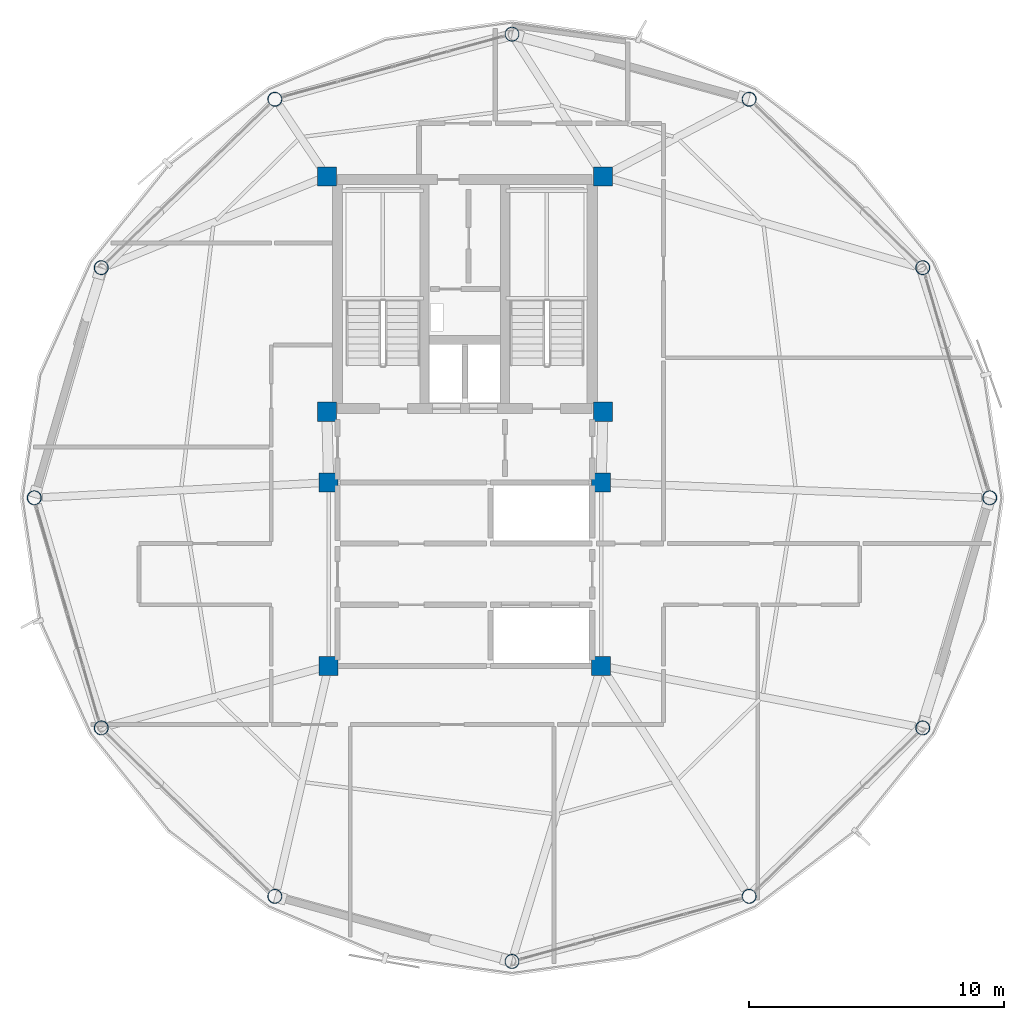
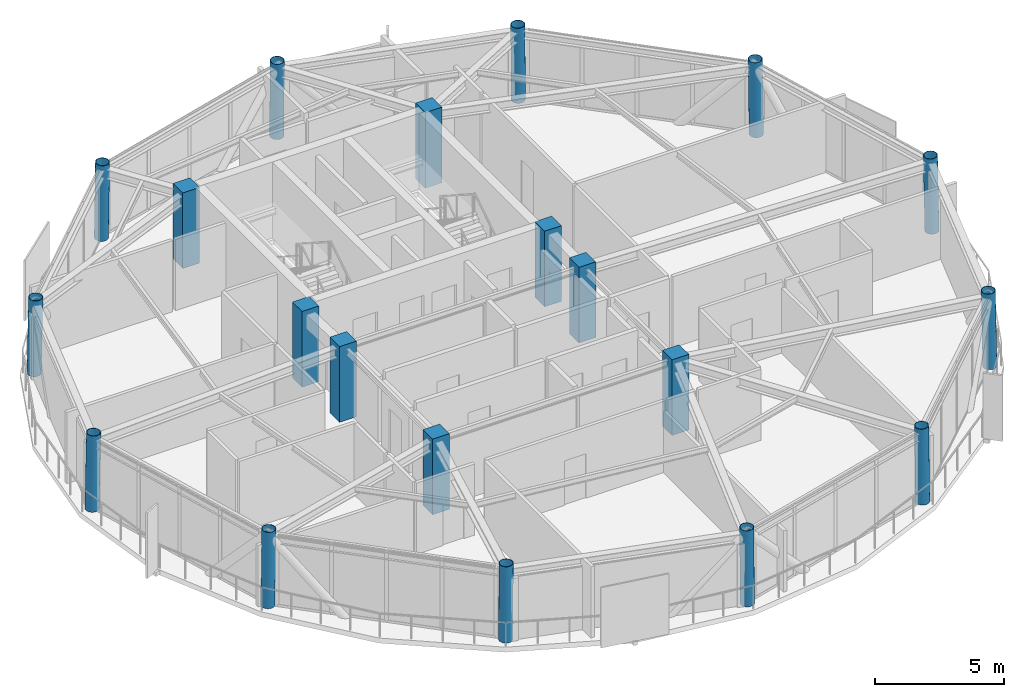
# One storey, part 1 of 27: 20 columns.
"""IFC4 building model written with IfcOpenShell, lengths in metres."""

from ifc_helpers import new_model, si_unit, direction, frame, origin, origin_2d, place, context, subcontext, project, spatial, rectangle, hollow_circle, extrude, material, material_profile, profile_set, type_object, element, save


model = new_model("IFC4")

# Units and contexts
model_context = context("Model", 3, precision=1e-05, world=origin(), true_north=direction((0.0, 1.0)))
body_context = subcontext(model_context, "Body", "Model", "MODEL_VIEW")
ifc_project = project(units=[si_unit("LENGTHUNIT", "METRE"), si_unit("AREAUNIT", "SQUARE_METRE"), si_unit("VOLUMEUNIT", "CUBIC_METRE"), si_unit("PLANEANGLEUNIT", "RADIAN"), si_unit("MASSUNIT", "GRAM", prefix="KILO")], contexts=[model_context])

# Site, building, storey
site_placement = place(None, origin())
site = spatial("IfcSite", under=ifc_project, at=site_placement, CompositionType="ELEMENT")
building_placement = place(site_placement, origin())
building = spatial("IfcBuilding", under=site, at=building_placement, Name="Varnakorn Sky Granary", CompositionType="ELEMENT")
storey_placement = place(building_placement, frame((0.0, 0.0, 232.800048828125)))
storey = spatial("IfcBuildingStorey", under=building, at=storey_placement, Name="L59", CompositionType="ELEMENT", Elevation=232.800048828125)

# Columns
ifc_material_1 = material(Name="Steel S460M", Category="steel")
ifc_material_profile_1 = material_profile(ifc_material_1, hollow_circle(Radius=0.279541015625, WallThickness=0.02001953125, at=origin_2d()), Name="CHS 559x20")
ifc_profile_set_1 = profile_set([ifc_material_profile_1], Name="Steel S460M")
column_type_1 = type_object("IfcColumnType", Name="COL-DC-Z5", PredefinedType="COLUMN", material=ifc_profile_set_1)
column_1_placement = place(storey_placement, frame((23.615966796875, 0.0, 0.0), z_axis=(-0.018981760075, 0.0, 0.999819830162), x_axis=(0.0, -1.0, 0.0)))
element("IfcColumn", 1, at=column_1_placement, inside=storey, type_object=column_type_1, Name="Drum Perimeter Column DC01 L59", PredefinedType="COLUMN", context=body_context, shape_type="SweptSolid", body=[
    extrude(hollow_circle(Radius=0.279541015625, WallThickness=0.02001953125, at=origin_2d()), origin(), (0.0, 0.0, 1.0), 3.57568359375),
])
column_2_placement = place(storey_placement, frame((20.98486328125, 9.03662109375, 0.0), z_axis=(-0.016455959383, -0.00477973924, 0.999853166967), x_axis=(0.278928739366, -0.960311802674, 0.0)))
element("IfcColumn", 2, at=column_2_placement, inside=storey, type_object=column_type_1, Name="Drum Perimeter Column DC02 L59", PredefinedType="COLUMN", context=body_context, shape_type="SweptSolid", body=[
    extrude(hollow_circle(Radius=0.279541015625, WallThickness=0.02001953125, at=origin_2d()), origin(), (0.0, 0.0, 1.0), 3.575439453125),
])
for number, where, z_axis, x_axis, name in (
    (3, (14.16552734375, 15.651611328125, 0.0), (-0.009491843964, -0.008194397667, 0.999921375282), (0.653478078623, -0.756945441072, 0.0), "Drum Perimeter Column DC03 L59"),
    (4, (4.85009765625, 18.2080078125, 0.0), (0.0, -0.00949216266, 0.999954948409), (1.0, 0.0, 0.0), "Drum Perimeter Column DC04 L59"),
    (5, (-4.465576171875, 15.651611328125, 0.0), (0.009560124392, -0.008194392336, 0.999920724836), (0.650791373456, 0.759256602365, 0.0), "Drum Perimeter Column DC05 L59"),
):
    element("IfcColumn", number, at=place(storey_placement, frame(where, z_axis=z_axis, x_axis=x_axis)), inside=storey, type_object=column_type_1, Name=name, PredefinedType="COLUMN", context=body_context, shape_type="SweptSolid", body=[
        extrude(hollow_circle(Radius=0.279541015625, WallThickness=0.02001953125, at=origin_2d()), origin(), (0.0, 0.0, 1.0), 3.5751953125),
    ])
column_3_placement = place(storey_placement, frame((-11.284912109375, 9.03662109375, 0.0), z_axis=(0.016455959383, -0.00477973924, 0.999853166967), x_axis=(0.278928739366, 0.960311802674, 0.0)))
element("IfcColumn", 6, at=column_3_placement, inside=storey, type_object=column_type_1, Name="Drum Perimeter Column DC06 L59", PredefinedType="COLUMN", context=body_context, shape_type="SweptSolid", body=[
    extrude(hollow_circle(Radius=0.279541015625, WallThickness=0.02001953125, at=origin_2d()), origin(), (0.0, 0.0, 1.0), 3.575439453125),
])
column_4_placement = place(storey_placement, frame((-13.916015625, 0.0, 0.0), z_axis=(0.019050015053, 0.0, 0.999818531998), x_axis=(0.0, 1.0, 0.0)))
element("IfcColumn", 7, at=column_4_placement, inside=storey, type_object=column_type_1, Name="Drum Perimeter Column DC07 L59", PredefinedType="COLUMN", context=body_context, shape_type="SweptSolid", body=[
    extrude(hollow_circle(Radius=0.279541015625, WallThickness=0.02001953125, at=origin_2d()), origin(), (0.0, 0.0, 1.0), 3.57568359375),
])
column_5_placement = place(storey_placement, frame((-11.284912109375, -9.03662109375, 0.0), z_axis=(0.016455959383, 0.00477973924, 0.999853166967), x_axis=(-0.278928739366, 0.960311802674, 0.0)))
element("IfcColumn", 8, at=column_5_placement, inside=storey, type_object=column_type_1, Name="Drum Perimeter Column DC08 L59", PredefinedType="COLUMN", context=body_context, shape_type="SweptSolid", body=[
    extrude(hollow_circle(Radius=0.279541015625, WallThickness=0.02001953125, at=origin_2d()), origin(), (0.0, 0.0, 1.0), 3.575439453125),
])
for number, where, z_axis, x_axis, name in (
    (9, (-4.465576171875, -15.651611328125, 0.0), (0.009560124392, 0.008194392336, 0.999920724836), (-0.650791373456, 0.759256602365, 0.0), "Drum Perimeter Column DC09 L59"),
    (10, (4.85009765625, -18.2080078125, 0.0), (0.0, 0.00949216266, 0.999954948409), (-1.0, 0.0, 0.0), "Drum Perimeter Column DC10 L59"),
    (11, (14.16552734375, -15.651611328125, 0.0), (-0.009491843964, 0.008194397667, 0.999921375282), (-0.653478078623, -0.756945441072, 0.0), "Drum Perimeter Column DC11 L59"),
):
    element("IfcColumn", number, at=place(storey_placement, frame(where, z_axis=z_axis, x_axis=x_axis)), inside=storey, type_object=column_type_1, Name=name, PredefinedType="COLUMN", context=body_context, shape_type="SweptSolid", body=[
        extrude(hollow_circle(Radius=0.279541015625, WallThickness=0.02001953125, at=origin_2d()), origin(), (0.0, 0.0, 1.0), 3.5751953125),
    ])
column_6_placement = place(storey_placement, frame((20.98486328125, -9.03662109375, 0.0), z_axis=(-0.016455959383, 0.00477973924, 0.999853166967), x_axis=(-0.278928739366, -0.960311802674, 0.0)))
element("IfcColumn", 12, at=column_6_placement, inside=storey, type_object=column_type_1, Name="Drum Perimeter Column DC12 L59", PredefinedType="COLUMN", context=body_context, shape_type="SweptSolid", body=[
    extrude(hollow_circle(Radius=0.279541015625, WallThickness=0.02001953125, at=origin_2d()), origin(), (0.0, 0.0, 1.0), 3.575439453125),
])
ifc_material_2 = material(Name="Concrete C50/60", Category="concrete")
ifc_material_profile_2 = material_profile(ifc_material_2, rectangle(XDim=0.75, YDim=0.75, at=origin_2d()), Name="RC 750x750")
ifc_profile_set_2 = profile_set([ifc_material_profile_2], Name="Concrete C50/60")
column_type_2 = type_object("IfcColumnType", Name="COL-MC-Z5", PredefinedType="COLUMN", material=ifc_profile_set_2)
for number, where, z_axis, x_axis, name in (
    (13, (-2.419921875, 12.6201171875, 0.0), (0.0, 0.0, 1.0), (1.0, 0.0, 0.0), "Backbone Mega-Column MC1 L59"),
    (14, (8.419921875, 12.6201171875, 0.0), (0.0, 0.0, 1.0), (1.0, 0.0, 0.0), "Backbone Mega-Column MC2 L59"),
    (15, (-2.419921875, 3.3798828125, 0.0), (0.0, 0.0, 1.0), (1.0, 0.0, 0.0), "Backbone Mega-Column MC3 L59"),
    (16, (8.419921875, 3.3798828125, 0.0), (0.0, 0.0, 1.0), (1.0, 0.0, 0.0), "Backbone Mega-Column MC4 L59"),
    (17, (-2.35009765625, 0.60009765625, 0.0), (0.0, 0.0, 1.0), (1.0, 0.0, 0.0), "Backbone Mega-Column MC5 L59"),
    (18, (8.35009765625, 0.60009765625, 0.0), (0.0, 0.0, 1.0), (1.0, 0.0, 0.0), "Backbone Mega-Column MC6 L59"),
    (19, (-2.35009765625, -6.60009765625, 0.0), (0.0, 0.0, 1.0), (1.0, 0.0, 0.0), "Backbone Mega-Column MC7 L59"),
    (20, (8.35009765625, -6.60009765625, 0.0), (0.0, 0.0, 1.0), (1.0, 0.0, 0.0), "Backbone Mega-Column MC8 L59"),
):
    element("IfcColumn", number, at=place(storey_placement, frame(where, z_axis=z_axis, x_axis=x_axis)), inside=storey, type_object=column_type_2, Name=name, PredefinedType="COLUMN", context=body_context, shape_type="SweptSolid", body=[
        extrude(rectangle(XDim=0.75, YDim=0.75, at=origin_2d()), origin(), (0.0, 0.0, 1.0), 3.574951171875),
    ])

save(model, "model.ifc")
